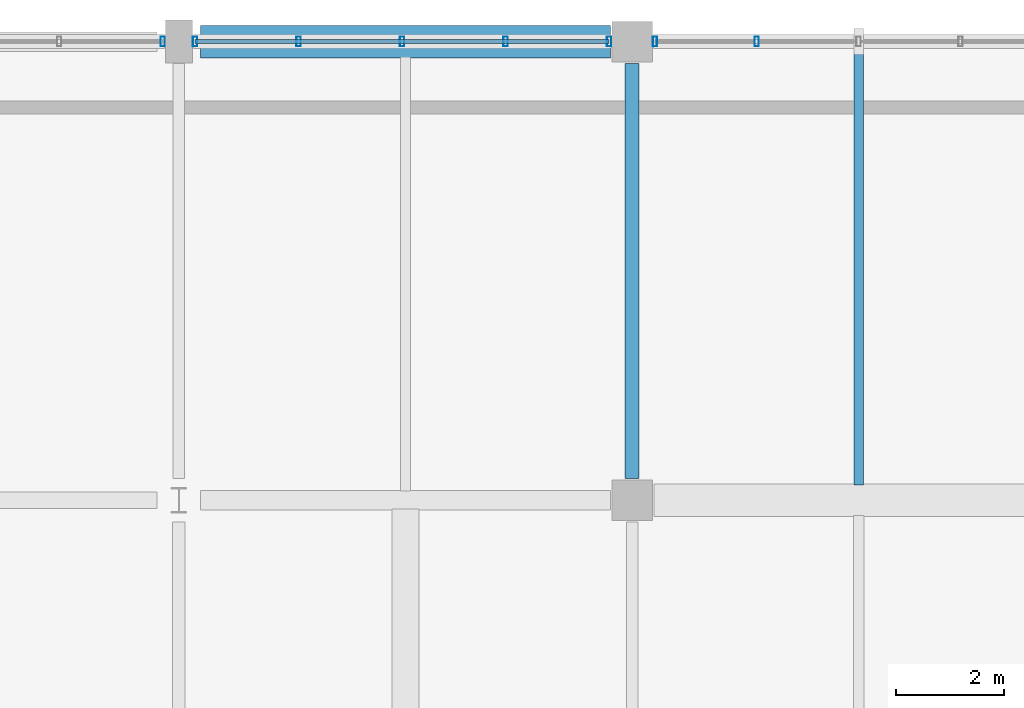
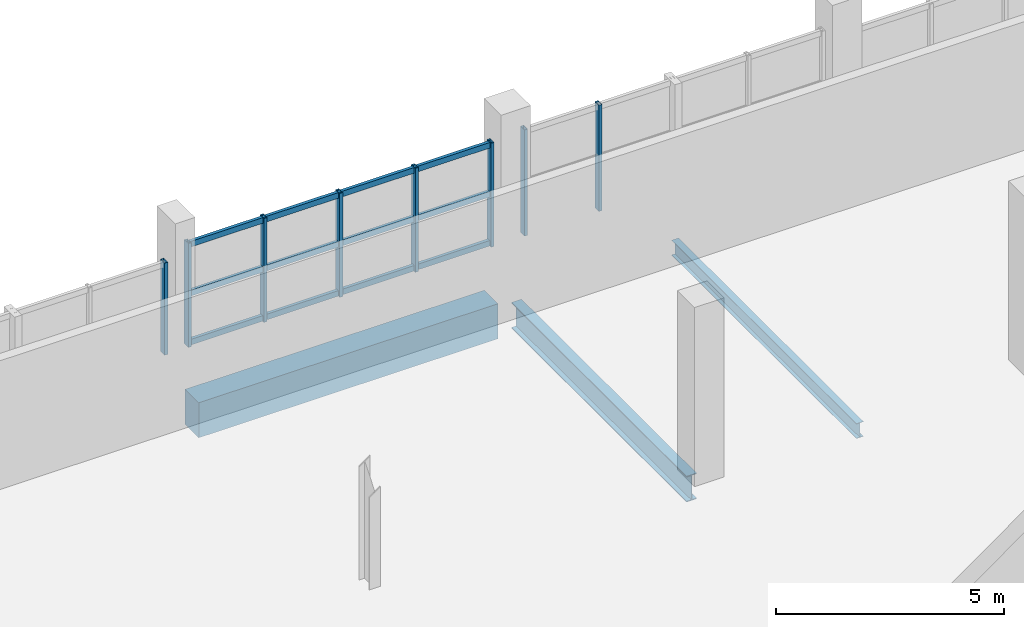
# One storey, part 78 of 117: 11 members, 3 beams, 3 elements without a shape of their own.
"""IFC4 building model written with IfcOpenShell, lengths in metres."""

from ifc_helpers import new_model, si_unit, direction, frame, origin, origin_2d, place, context, subcontext, project, spatial, rectangle, hollow_rectangle, i_section, extrude, material, material_profile, profile_set, type_object, element, aggregate, save


model = new_model("IFC4")

# Units and contexts
model_context = context("Model", 3, precision=1e-05, world=origin(), true_north=direction((0.0, 1.0)))
body_context = subcontext(model_context, "Body", "Model", "MODEL_VIEW")
ifc_project = project(units=[si_unit("LENGTHUNIT", "METRE"), si_unit("AREAUNIT", "SQUARE_METRE"), si_unit("VOLUMEUNIT", "CUBIC_METRE"), si_unit("PLANEANGLEUNIT", "RADIAN"), si_unit("MASSUNIT", "GRAM", prefix="KILO")], contexts=[model_context])

# Site, building, storey
site_placement = place(None, origin())
site = spatial("IfcSite", under=ifc_project, at=site_placement, CompositionType="ELEMENT")
building_placement = place(site_placement, origin())
building = spatial("IfcBuilding", under=site, at=building_placement, Name="Solvento Point Concert Hall", CompositionType="ELEMENT")
storey_placement = place(building_placement, frame((0.0, 0.0, 5.39990234375)))
storey = spatial("IfcBuildingStorey", under=building, at=storey_placement, Name="L01", CompositionType="ELEMENT", Elevation=5.39990234375)

# Beams
ifc_material_1 = material(Name="Concrete C35/45", Category="concrete")
ifc_material_profile_1 = material_profile(ifc_material_1, rectangle(XDim=0.60009765625, YDim=0.93994140625, at=origin_2d()), Name="RC-BM-600X940")
ifc_profile_set_1 = profile_set([ifc_material_profile_1], Name="Concrete C35/45")
beam_type_1 = type_object("IfcBeamType", Name="Girder_RC_600x940", PredefinedType="USERDEFINED", material=ifc_profile_set_1)
beam_1_placement = place(storey_placement, frame((32.803955078125, 136.0, -0.75390625), z_axis=(1.0, 0.0, 0.0), x_axis=(0.0, 1.0, 0.0)))
element("IfcBeam", 1, at=beam_1_placement, inside=storey, type_object=beam_type_1, Name="Primary girder B-34 L01", ObjectType="GIRDER", PredefinedType="USERDEFINED", context=body_context, shape_type="SweptSolid", body=[
    extrude(rectangle(XDim=0.60009765625, YDim=0.93994140625, at=origin_2d()), origin(), (0.0, 0.0, 1.0), 7.592041015625),
])
ifc_material_2 = material(Name="Structural Steel ASTM A992 Grade 50", Category="steel")
ifc_material_profile_2 = material_profile(ifc_material_2, i_section(OverallWidth=0.256103515625, OverallDepth=0.693115234375, WebThickness=0.014404296875, FlangeThickness=0.023681640625, at=origin_2d()), Name="W27X114")
ifc_profile_set_2 = profile_set([ifc_material_profile_2], Name="Structural Steel ASTM A992 Grade 50")
beam_type_2 = type_object("IfcBeamType", Name="Girder_W27X114", PredefinedType="USERDEFINED", material=ifc_profile_set_2)
beam_2_placement = place(storey_placement, frame((40.800048828125, 127.904052734375, -0.63037109375), z_axis=(0.0, 1.0, 0.0), x_axis=(-1.0, 0.0, 0.0)))
element("IfcBeam", 2, at=beam_2_placement, inside=storey, type_object=beam_type_2, Name="Primary girder B-23 L01", ObjectType="GIRDER", PredefinedType="USERDEFINED", context=body_context, shape_type="SweptSolid", body=[
    extrude(i_section(OverallWidth=0.256103515625, OverallDepth=0.693115234375, WebThickness=0.014404296875, FlangeThickness=0.023681640625, at=origin_2d()), origin(), (0.0, 0.0, 1.0), 7.69189453125),
])
ifc_material_3 = material(Name="Structural Steel ASTM A992 Grade 50", Category="steel")
ifc_material_profile_3 = material_profile(ifc_material_3, i_section(OverallWidth=0.177490234375, OverallDepth=0.403076171875, WebThickness=0.007568359375, FlangeThickness=0.010986328125, at=origin_2d()), Name="W16X36")
ifc_profile_set_3 = profile_set([ifc_material_profile_3], Name="Structural Steel ASTM A992 Grade 50")
beam_type_3 = type_object("IfcBeamType", Name="Joist_W16X36", PredefinedType="JOIST", material=ifc_profile_set_3)
beam_3_placement = place(storey_placement, frame((45.0, 127.784912109375, -0.4853515625), z_axis=(0.0, 1.0, 0.0), x_axis=(-1.0, 0.0, 0.0)))
element("IfcBeam", 3, at=beam_3_placement, inside=storey, type_object=beam_type_3, Name="Secondary floor joist B-30 L01", PredefinedType="JOIST", context=body_context, shape_type="SweptSolid", body=[
    extrude(i_section(OverallWidth=0.177490234375, OverallDepth=0.403076171875, WebThickness=0.007568359375, FlangeThickness=0.010986328125, at=origin_2d()), origin(), (0.0, 0.0, 1.0), 8.11572265625),
])

# Curtain wall, member
ifc_material_4 = material(Name="Anodized Bronze Aluminium", Category="aluminium")
curtain_wall_type = type_object("IfcCurtainWallType", Name="CurtainWall_CourtPilotis", PredefinedType="USERDEFINED", material=ifc_material_4)
curtain_wall_1_placement = place(storey_placement, origin())
curtain_wall_1 = element("IfcCurtainWall", 4, at=curtain_wall_1_placement, inside=storey, type_object=curtain_wall_type, Name="Unitised curtain wall CW-96 UCW-L01-126", ObjectType="UNITISED CURTAIN WALL", PredefinedType="USERDEFINED")
ifc_material_5 = material(Name="Anodized Bronze Aluminium", Category="aluminium")
ifc_material_profile_4 = material_profile(ifc_material_5, hollow_rectangle(XDim=0.080078125, YDim=0.179931640625, WallThickness=0.00390625, at=origin_2d()), Name="CW-MUL-80X180")
ifc_profile_set_4 = profile_set([ifc_material_profile_4], Name="Anodized Bronze Aluminium")
member_type_1 = type_object("IfcMemberType", Name="Mullion_80x180", PredefinedType="MULLION", material=ifc_profile_set_4)
member_1_placement = place(storey_placement, frame((32.10009765625, 136.0, 1.1201171875), z_axis=(0.0, 0.0, 1.0), x_axis=(1.0, 0.0, 0.0)))
member_1 = element("IfcMember", 5, at=member_1_placement, type_object=member_type_1, Name="Curtain wall mullion ML-01", PredefinedType="MULLION", context=body_context, shape_type="SweptSolid", body=[
    extrude(hollow_rectangle(XDim=0.080078125, YDim=0.179931640625, WallThickness=0.00390625, at=origin_2d()), origin(), (0.0, 0.0, 1.0), 2.473876953125),
])
aggregate(curtain_wall_1, [member_1])

# Curtain wall, members
curtain_wall_2_placement = place(storey_placement, origin())
curtain_wall_2 = element("IfcCurtainWall", 6, at=curtain_wall_2_placement, inside=storey, type_object=curtain_wall_type, Name="Unitised curtain wall CW-96 UCW-L01-127", ObjectType="UNITISED CURTAIN WALL", PredefinedType="USERDEFINED")
member_2_placement = place(storey_placement, frame((32.699951171875, 136.0, 1.1201171875), z_axis=(0.0, 0.0, 1.0), x_axis=(1.0, 0.0, 0.0)))
member_2 = element("IfcMember", 7, at=member_2_placement, type_object=member_type_1, Name="Curtain wall mullion ML-01", PredefinedType="MULLION", context=body_context, shape_type="SweptSolid", body=[
    extrude(hollow_rectangle(XDim=0.080078125, YDim=0.179931640625, WallThickness=0.00390625, at=origin_2d()), origin(), (0.0, 0.0, 1.0), 2.785888671875),
])
member_3_placement = place(storey_placement, frame((34.618896484375, 136.0, 1.1201171875), z_axis=(0.0, 0.0, 1.0), x_axis=(1.0, 0.0, 0.0)))
member_3 = element("IfcMember", 8, at=member_3_placement, type_object=member_type_1, Name="Curtain wall mullion ML-01", PredefinedType="MULLION", context=body_context, shape_type="SweptSolid", body=[
    extrude(hollow_rectangle(XDim=0.080078125, YDim=0.179931640625, WallThickness=0.00390625, at=origin_2d()), origin(), (0.0, 0.0, 1.0), 2.785888671875),
])
member_4_placement = place(storey_placement, frame((36.53759765625, 136.0, 1.1201171875), z_axis=(0.0, 0.0, 1.0), x_axis=(1.0, 0.0, 0.0)))
member_4 = element("IfcMember", 9, at=member_4_placement, type_object=member_type_1, Name="Curtain wall mullion ML-01", PredefinedType="MULLION", context=body_context, shape_type="SweptSolid", body=[
    extrude(hollow_rectangle(XDim=0.080078125, YDim=0.179931640625, WallThickness=0.00390625, at=origin_2d()), origin(), (0.0, 0.0, 1.0), 2.785888671875),
])
member_5_placement = place(storey_placement, frame((38.456298828125, 136.0, 1.1201171875), z_axis=(0.0, 0.0, 1.0), x_axis=(1.0, 0.0, 0.0)))
member_5 = element("IfcMember", 10, at=member_5_placement, type_object=member_type_1, Name="Curtain wall mullion ML-01", PredefinedType="MULLION", context=body_context, shape_type="SweptSolid", body=[
    extrude(hollow_rectangle(XDim=0.080078125, YDim=0.179931640625, WallThickness=0.00390625, at=origin_2d()), origin(), (0.0, 0.0, 1.0), 2.785888671875),
])
member_6_placement = place(storey_placement, frame((40.375, 136.0, 1.1201171875), z_axis=(0.0, 0.0, 1.0), x_axis=(1.0, 0.0, 0.0)))
member_6 = element("IfcMember", 11, at=member_6_placement, type_object=member_type_1, Name="Curtain wall mullion ML-01", PredefinedType="MULLION", context=body_context, shape_type="SweptSolid", body=[
    extrude(hollow_rectangle(XDim=0.080078125, YDim=0.179931640625, WallThickness=0.00390625, at=origin_2d()), origin(), (0.0, 0.0, 1.0), 2.785888671875),
])

curtain_wall_3_placement = place(storey_placement, origin())
curtain_wall_3 = element("IfcCurtainWall", 12, at=curtain_wall_3_placement, inside=storey, type_object=curtain_wall_type, Name="Unitised curtain wall CW-96 UCW-L01-128", ObjectType="UNITISED CURTAIN WALL", PredefinedType="USERDEFINED")
member_7_placement = place(storey_placement, frame((41.22509765625, 136.0, 1.1201171875), z_axis=(0.0, 0.0, 1.0), x_axis=(1.0, 0.0, 0.0)))
member_7 = element("IfcMember", 13, at=member_7_placement, type_object=member_type_1, Name="Curtain wall mullion ML-01", PredefinedType="MULLION", context=body_context, shape_type="SweptSolid", body=[
    extrude(hollow_rectangle(XDim=0.080078125, YDim=0.179931640625, WallThickness=0.00390625, at=origin_2d()), origin(), (0.0, 0.0, 1.0), 2.844970703125),
])
member_8_placement = place(storey_placement, frame((43.112548828125, 136.0, 1.1201171875), z_axis=(0.0, 0.0, 1.0), x_axis=(1.0, 0.0, 0.0)))
member_8 = element("IfcMember", 14, at=member_8_placement, type_object=member_type_1, Name="Curtain wall mullion ML-01", PredefinedType="MULLION", context=body_context, shape_type="SweptSolid", body=[
    extrude(hollow_rectangle(XDim=0.080078125, YDim=0.179931640625, WallThickness=0.00390625, at=origin_2d()), origin(), (0.0, 0.0, 1.0), 2.844970703125),
])
aggregate(curtain_wall_3, [member_7, member_8])

# Member
ifc_material_6 = material(Name="Anodized Bronze Aluminium", Category="aluminium")
ifc_material_profile_5 = material_profile(ifc_material_6, hollow_rectangle(XDim=0.080078125, YDim=0.14990234375, WallThickness=0.00390625, at=origin_2d()), Name="CW-TRN-80X150")
ifc_profile_set_5 = profile_set([ifc_material_profile_5], Name="Anodized Bronze Aluminium")
member_type_2 = type_object("IfcMemberType", Name="Transom_80x150", PredefinedType="USERDEFINED", material=ifc_profile_set_5)
member_9_placement = place(storey_placement, frame((32.699951171875, 136.0, 1.2001953125), z_axis=(1.0, 0.0, 0.0), x_axis=(0.0, 1.0, 0.0)))
member_9 = element("IfcMember", 15, at=member_9_placement, type_object=member_type_2, Name="Curtain wall transom TR-01", ObjectType="TRANSOM", PredefinedType="USERDEFINED", context=body_context, shape_type="SweptSolid", body=[
    extrude(hollow_rectangle(XDim=0.080078125, YDim=0.14990234375, WallThickness=0.00390625, at=origin_2d()), origin(), (0.0, 0.0, 1.0), 7.675048828125),
])

member_10_placement = place(storey_placement, frame((32.699951171875, 136.0, 2.51318359375), z_axis=(1.0, 0.0, 0.0), x_axis=(0.0, 1.0, 0.0)))
member_10 = element("IfcMember", 16, at=member_10_placement, type_object=member_type_2, Name="Curtain wall transom TR-01", ObjectType="TRANSOM", PredefinedType="USERDEFINED", context=body_context, shape_type="SweptSolid", body=[
    extrude(hollow_rectangle(XDim=0.080078125, YDim=0.14990234375, WallThickness=0.00390625, at=origin_2d()), origin(), (0.0, 0.0, 1.0), 7.675048828125),
])

member_11_placement = place(storey_placement, frame((32.699951171875, 136.0, 3.826171875), z_axis=(1.0, 0.0, 0.0), x_axis=(0.0, 1.0, 0.0)))
member_11 = element("IfcMember", 17, at=member_11_placement, type_object=member_type_2, Name="Curtain wall transom TR-01", ObjectType="TRANSOM", PredefinedType="USERDEFINED", context=body_context, shape_type="SweptSolid", body=[
    extrude(hollow_rectangle(XDim=0.080078125, YDim=0.14990234375, WallThickness=0.00390625, at=origin_2d()), origin(), (0.0, 0.0, 1.0), 7.675048828125),
])

aggregate(curtain_wall_2, [member_2, member_3, member_4, member_5, member_6, member_9, member_10, member_11])

save(model, "model.ifc")
